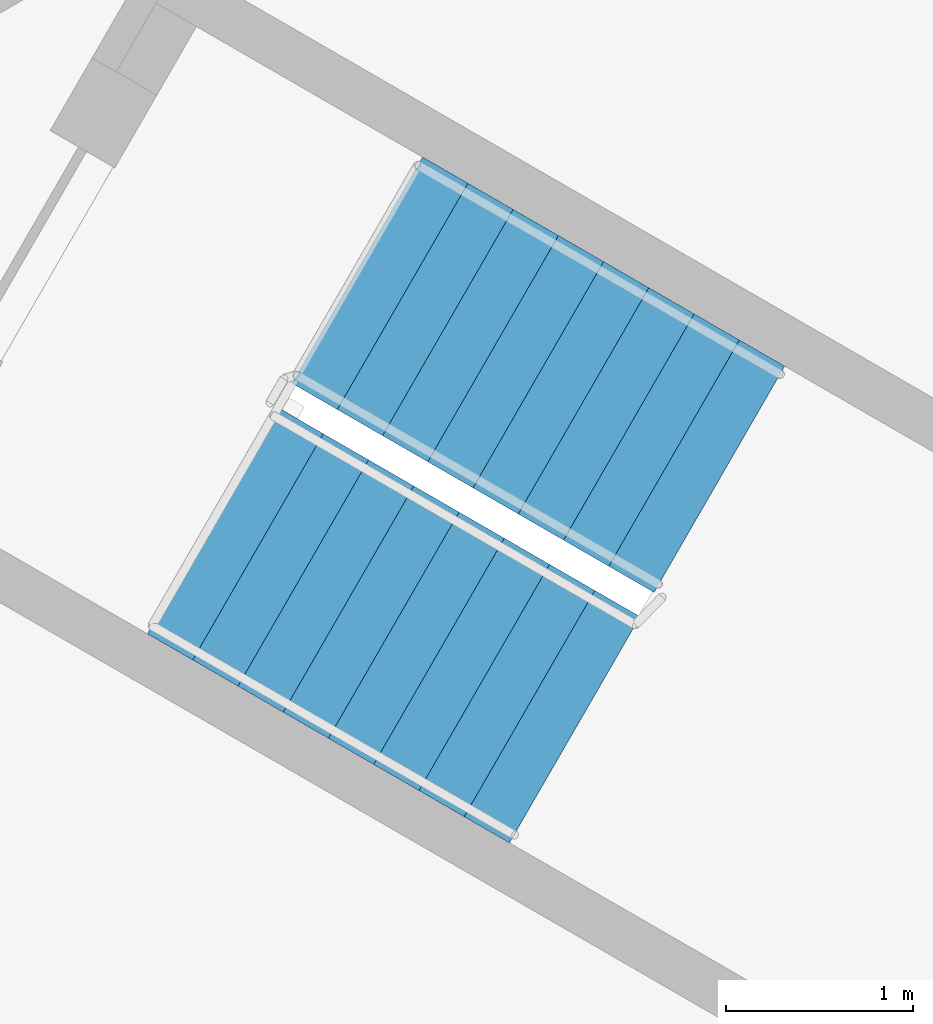
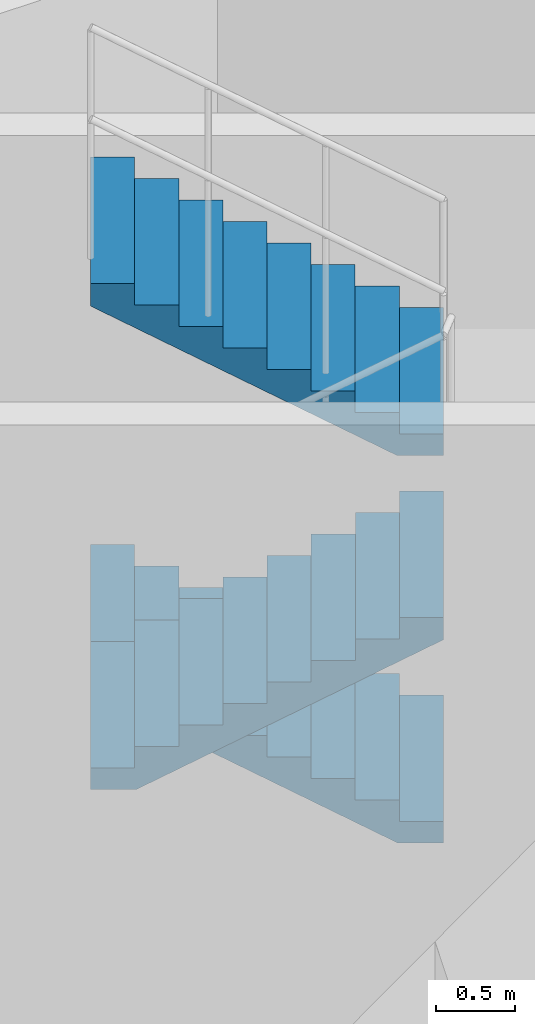
# One storey, part 13 of 15: 3 stair flights, 1 element without a shape of its own.
"""IFC4 building model written with IfcOpenShell, lengths in metres."""

import ifcopenshell
import ifcopenshell.guid

model = None  # the IFC model being written
_history = None  # IfcOwnerHistory: only IFC2X3 demands one
_inside = {}  # id of a spatial element -> (the spatial element, [elements in it])
_under = {}  # id of a project, library or spatial element -> (it, [spatial elements below it])
_declared = {}  # id of a project -> (the project, [libraries it declares])
_typed = {}  # id of a type object -> (the type object, [elements of that type])
_made_of = {}  # id of a material, layer set ... -> (it, [elements and type objects made of it])


def new_model(schema):
    """Start an empty IFC model of exactly this schema.

    Asked for "IFC4X3", IfcOpenShell would pick the latest addendum, in which some entities
    have other attributes; the version numbers below select the first issue.
    IFC2X3 requires an IfcOwnerHistory on every rooted entity: one is made here for all.
    """
    global model, _history
    if schema == "IFC4X3":
        model = ifcopenshell.file(schema_version=(4, 3, 0, 0))
    else:
        model = ifcopenshell.file(schema=schema)
    _inside.clear()
    _under.clear()
    _declared.clear()
    _typed.clear()
    _made_of.clear()
    _history = None
    if model.schema == "IFC2X3":
        org = make("IfcOrganization", Name="unknown")
        user = make(
            "IfcPersonAndOrganization",
            ThePerson=make("IfcPerson", FamilyName="unknown"),
            TheOrganization=org,
        )
        app = make(
            "IfcApplication",
            ApplicationDeveloper=org,
            Version="unknown",
            ApplicationFullName="unknown",
            ApplicationIdentifier="unknown",
        )
        _history = make(
            "IfcOwnerHistory",
            OwningUser=user,
            OwningApplication=app,
            ChangeAction="ADDED",
            CreationDate=0,
        )
    return model


def make(cls, **values):
    """One entity of the class cls with the attributes given. An attribute that is None is left unset."""
    return model.create_entity(
        cls, **{name: value for name, value in values.items() if value is not None}
    )


def rooted(cls, **values):
    """An entity with a GlobalId (a new one), such as an element, a storey or a relation."""
    return make(cls, GlobalId=ifcopenshell.guid.new(), OwnerHistory=_history, **values)


def si_unit(unit_type, name, prefix=None):
    """IfcSIUnit, for example si_unit("LENGTHUNIT", "METRE", prefix="MILLI")."""
    return make("IfcSIUnit", UnitType=unit_type, Prefix=prefix, Name=name)


def assignment(units):
    """IfcUnitAssignment: the units of a project."""
    return None if units is None else make("IfcUnitAssignment", Units=units)


def point(xyz):
    """IfcCartesianPoint."""
    return None if xyz is None else make("IfcCartesianPoint", Coordinates=xyz)


def direction(xyz):
    """IfcDirection."""
    return None if xyz is None else make("IfcDirection", DirectionRatios=xyz)


def frame(location, z_axis=None, x_axis=None):
    """IfcAxis2Placement3D, a coordinate frame: its origin and axes. An axis left out is left unset."""
    return make(
        "IfcAxis2Placement3D",
        Location=point(location),
        Axis=direction(z_axis),
        RefDirection=direction(x_axis),
    )


def origin():
    """The frame at (0, 0, 0) with its axes left unset."""
    return frame((0.0, 0.0, 0.0))


def place(relative_to, where):
    """IfcLocalPlacement: puts the frame where relative to a parent placement (None: the world)."""
    return make(
        "IfcLocalPlacement", PlacementRelTo=relative_to, RelativePlacement=where
    )


def context(
    kind, dimensions, precision=None, world=None, true_north=None, identifier=None
):
    """IfcGeometricRepresentationContext, for example the 3D "Model" context."""
    return make(
        "IfcGeometricRepresentationContext",
        ContextIdentifier=identifier,
        ContextType=kind,
        CoordinateSpaceDimension=dimensions,
        Precision=precision,
        WorldCoordinateSystem=world,
        TrueNorth=true_north,
    )


def subcontext(parent, identifier, kind, view, scale=None):
    """IfcGeometricRepresentationSubContext, for example "Body" below "Model"."""
    return make(
        "IfcGeometricRepresentationSubContext",
        ContextIdentifier=identifier,
        ContextType=kind,
        ParentContext=parent,
        TargetScale=scale,
        TargetView=view,
    )


def project(units=None, contexts=None):
    """IfcProject with its units and contexts."""
    return rooted(
        "IfcProject",
        Name="project",
        RepresentationContexts=contexts,
        UnitsInContext=assignment(units),
    )


def spatial(cls, under=None, at=None, **own):
    """A site, building, storey or space (cls), placed at a placement, below another one or the project."""
    s = rooted(cls, ObjectPlacement=at, **own)
    if under is not None:
        _under.setdefault(under.id(), (under, []))[1].append(s)
    return s


def polyline(points):
    """IfcPolyline through the points."""
    return make("IfcPolyline", Points=[point(p) for p in points])


def outline(outer, holes=None, kind="AREA"):
    """IfcArbitraryClosedProfileDef: a profile drawn as a closed curve; with holes, ...WithVoids."""
    if holes is None:
        return make("IfcArbitraryClosedProfileDef", ProfileType=kind, OuterCurve=outer)
    return make(
        "IfcArbitraryProfileDefWithVoids",
        ProfileType=kind,
        OuterCurve=outer,
        InnerCurves=holes,
    )


def extrude(swept, where, along, depth):
    """IfcExtrudedAreaSolid: the profile swept, set in the frame where, extruded along a direction by depth."""
    return make(
        "IfcExtrudedAreaSolid",
        SweptArea=swept,
        Position=where,
        ExtrudedDirection=direction(along),
        Depth=depth,
    )


def shape(context_of_items, identifier, shape_type, items):
    """IfcShapeRepresentation: the items that make up one representation, for example the "Body"."""
    return make(
        "IfcShapeRepresentation",
        ContextOfItems=context_of_items,
        RepresentationIdentifier=identifier,
        RepresentationType=shape_type,
        Items=items,
    )


def material(Name=None, Category=None):
    """IfcMaterial."""
    return make("IfcMaterial", Name=Name, Category=Category)


def made_of(thing, what):
    """Note that an element or type object is made of a material, layer set ...; save() writes the relation."""
    if what is not None:
        _made_of.setdefault(what.id(), (what, []))[1].append(thing)
    return thing


def type_object(cls, material=None, **own):
    """A type object (cls), such as IfcWallType, which elements share."""
    return made_of(rooted(cls, **own), material)


def element(
    cls,
    number,
    at=None,
    inside=None,
    cuts=None,
    type_object=None,
    material=None,
    context=None,
    identifier="Body",
    shape_type=None,
    held_by="IfcProductDefinitionShape",
    body=None,
    shapes=None,
    **own,
):
    """One element of the class cls, such as IfcWall. Its Tag is "e" and its number.

    at: its placement. inside: the storey or other place that contains it. cuts: it is an
    opening in that element (IfcRelVoidsElement). A single representation is given by context,
    identifier, shape_type and body (its items); several are given by shapes. held_by: the class
    of the entity that holds the representations. save() writes the other relations.
    """
    e = rooted(cls, Tag="e%d" % number, ObjectPlacement=at, **own)
    if body is not None:
        shapes = [shape(context, identifier, shape_type, body)]
    if shapes is not None:
        e.Representation = make(held_by, Representations=shapes)
    if inside is not None:
        _inside.setdefault(inside.id(), (inside, []))[1].append(e)
    if cuts is not None:
        rooted(
            "IfcRelVoidsElement", RelatingBuildingElement=cuts, RelatedOpeningElement=e
        )
    if type_object is not None:
        _typed.setdefault(type_object.id(), (type_object, []))[1].append(e)
    return made_of(e, material)


def aggregate(whole, parts):
    """IfcRelAggregates: a whole, such as a stair, and the parts it consists of."""
    return rooted("IfcRelAggregates", RelatingObject=whole, RelatedObjects=parts)


def save(model, path):
    """Write the relations noted so far, then the file.

    IfcRelAggregates (storeys below a building ...), IfcRelContainedInSpatialStructure (elements
    in a storey), IfcRelDefinesByType, IfcRelAssociatesMaterial and IfcRelDeclares: one each for
    every whole, place, type object, material and project.
    """
    for whole, parts in _under.values():
        aggregate(whole, parts)
    for where, things in _inside.values():
        rooted(
            "IfcRelContainedInSpatialStructure",
            RelatedElements=things,
            RelatingStructure=where,
        )
    for kind, things in _typed.values():
        rooted("IfcRelDefinesByType", RelatedObjects=things, RelatingType=kind)
    for what, things in _made_of.values():
        rooted("IfcRelAssociatesMaterial", RelatedObjects=things, RelatingMaterial=what)
    for by, libraries in _declared.values():
        rooted("IfcRelDeclares", RelatingContext=by, RelatedDefinitions=libraries)
    model.write(path)


model = new_model("IFC4")

# Units and contexts
model_context = context("Model", 3, precision=1e-05, world=origin(), true_north=direction((0.0, 1.0)))
body_context = subcontext(model_context, "Body", "Model", "MODEL_VIEW")
ifc_project = project(units=[si_unit("LENGTHUNIT", "METRE"), si_unit("AREAUNIT", "SQUARE_METRE"), si_unit("VOLUMEUNIT", "CUBIC_METRE"), si_unit("PLANEANGLEUNIT", "RADIAN"), si_unit("MASSUNIT", "GRAM", prefix="KILO")], contexts=[model_context])

# Site, building, storey
site_placement = place(None, origin())
site = spatial("IfcSite", under=ifc_project, at=site_placement, CompositionType="ELEMENT")
building_placement = place(site_placement, origin())
building = spatial("IfcBuilding", under=site, at=building_placement, Name="Mestral Congress Tower", CompositionType="ELEMENT")
storey_placement = place(building_placement, frame((0.0, 0.0, 321.60009765625)))
storey = spatial("IfcBuildingStorey", under=building, at=storey_placement, Name="L75", CompositionType="ELEMENT", Elevation=321.60009765625)

# Stair, stair flights
ifc_material = material(Name="Concrete C60/75", Category="concrete")
stair_type = type_object("IfcStairType", Name="Exit stair 1400", PredefinedType="HALF_TURN_STAIR", material=ifc_material)
stair_placement = place(storey_placement, origin())
stair = element("IfcStair", 1, at=stair_placement, inside=storey, type_object=stair_type, Name="L75 ST1", PredefinedType="HALF_TURN_STAIR")
stair_flight_type = type_object("IfcStairFlightType", Name="Exit stair flight 1400", PredefinedType="STRAIGHT", material=ifc_material)
stair_flight_1_placement = place(storey_placement, frame((11.290771484375, -5.623779296875, 1.5), z_axis=(0.0, 0.0, 1.0), x_axis=(-0.866025403784, 0.5, 0.0)))
stair_flight_1 = element("IfcStairFlight", 2, at=stair_flight_1_placement, type_object=stair_flight_type, Name="ST1 flight 2", NumberOfRisers=9, NumberOfTreads=8, PredefinedType="STRAIGHT", RiserHeight=0.166666667, TreadLength=0.28, context=body_context, shape_type="SweptSolid", body=[
    extrude(outline(polyline([(0.0, 0.0), (0.0, 0.166748046875), (0.280029296875, 0.166748046875), (0.280029296875, 0.333251953125), (0.56005859375, 0.333251953125), (0.56005859375, 0.5), (0.840087890625, 0.5), (0.840087890625, 0.666748046875), (1.1201171875, 0.666748046875), (1.1201171875, 0.833251953125), (1.39990234375, 0.833251953125), (1.39990234375, 1.0), (1.679931640625, 1.0), (1.679931640625, 1.166748046875), (1.9599609375, 1.166748046875), (1.9599609375, 1.333251953125), (2.239990234375, 1.333251953125), (2.239990234375, 1.5), (2.239990234375, 1.158935546875), (0.29296875, 0.0), (0.0, 0.0)])), frame((0.0, 0.699951171875, 0.0), z_axis=(0.0, -1.0, 0.0), x_axis=(1.0, 0.0, 0.0)), (0.0, 0.0, 1.0), 1.39990234375),
])
stair_flight_2_placement = place(storey_placement, frame((8.575927734375, -5.84619140625, 3.0), z_axis=(0.0, 0.0, 1.0), x_axis=(0.866025403784, -0.5, 0.0)))
stair_flight_2 = element("IfcStairFlight", 3, at=stair_flight_2_placement, type_object=stair_flight_type, Name="ST1 flight 3", NumberOfRisers=9, NumberOfTreads=8, PredefinedType="STRAIGHT", RiserHeight=0.166666667, TreadLength=0.28, context=body_context, shape_type="SweptSolid", body=[
    extrude(outline(polyline([(0.0, 0.0), (0.0, 0.166748046875), (0.280029296875, 0.166748046875), (0.280029296875, 0.333251953125), (0.56005859375, 0.333251953125), (0.56005859375, 0.5), (0.840087890625, 0.5), (0.840087890625, 0.666748046875), (1.1201171875, 0.666748046875), (1.1201171875, 0.833251953125), (1.39990234375, 0.833251953125), (1.39990234375, 1.0), (1.679931640625, 1.0), (1.679931640625, 1.166748046875), (1.9599609375, 1.166748046875), (1.9599609375, 1.333251953125), (2.239990234375, 1.333251953125), (2.239990234375, 1.5), (2.239990234375, 1.158935546875), (0.29296875, 0.0), (0.0, 0.0)])), frame((0.0, 0.699951171875, 0.0), z_axis=(0.0, -1.0, 0.0), x_axis=(1.0, 0.0, 0.0)), (0.0, 0.0, 1.0), 1.39990234375),
])
stair_flight_3_placement = place(storey_placement, frame((11.290771484375, -5.623779296875, 4.5), z_axis=(0.0, 0.0, 1.0), x_axis=(-0.866025403784, 0.5, 0.0)))
stair_flight_3 = element("IfcStairFlight", 4, at=stair_flight_3_placement, type_object=stair_flight_type, Name="ST1 flight 4", NumberOfRisers=9, NumberOfTreads=8, PredefinedType="STRAIGHT", RiserHeight=0.166666667, TreadLength=0.28, context=body_context, shape_type="SweptSolid", body=[
    extrude(outline(polyline([(0.0, 0.0), (0.0, 0.166748046875), (0.280029296875, 0.166748046875), (0.280029296875, 0.333251953125), (0.56005859375, 0.333251953125), (0.56005859375, 0.5), (0.840087890625, 0.5), (0.840087890625, 0.666748046875), (1.1201171875, 0.666748046875), (1.1201171875, 0.833251953125), (1.39990234375, 0.833251953125), (1.39990234375, 1.0), (1.679931640625, 1.0), (1.679931640625, 1.166748046875), (1.9599609375, 1.166748046875), (1.9599609375, 1.333251953125), (2.239990234375, 1.333251953125), (2.239990234375, 1.5), (2.239990234375, 1.158935546875), (0.29296875, 0.0), (0.0, 0.0)])), frame((0.0, 0.699951171875, 0.0), z_axis=(0.0, -1.0, 0.0), x_axis=(1.0, 0.0, 0.0)), (0.0, 0.0, 1.0), 1.39990234375),
])
aggregate(stair, [stair_flight_1, stair_flight_2, stair_flight_3])

save(model, "model.ifc")
